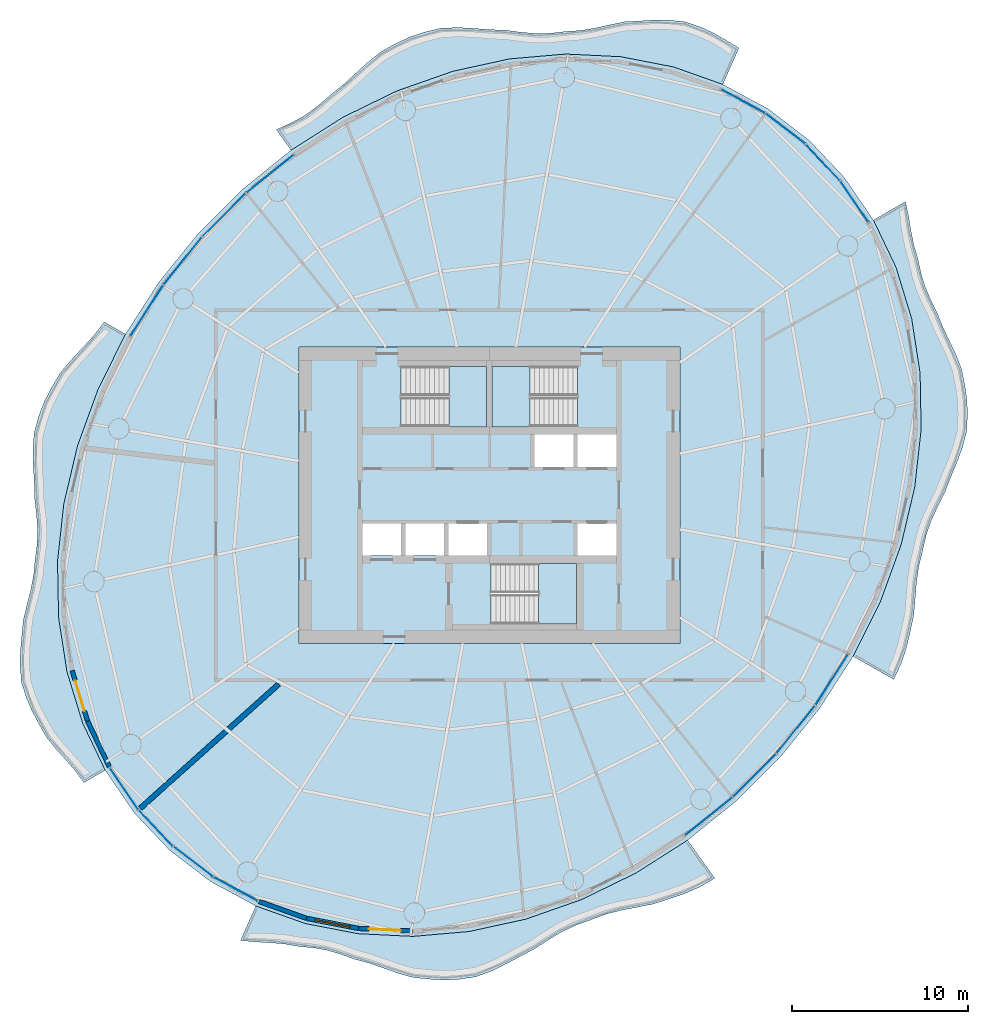
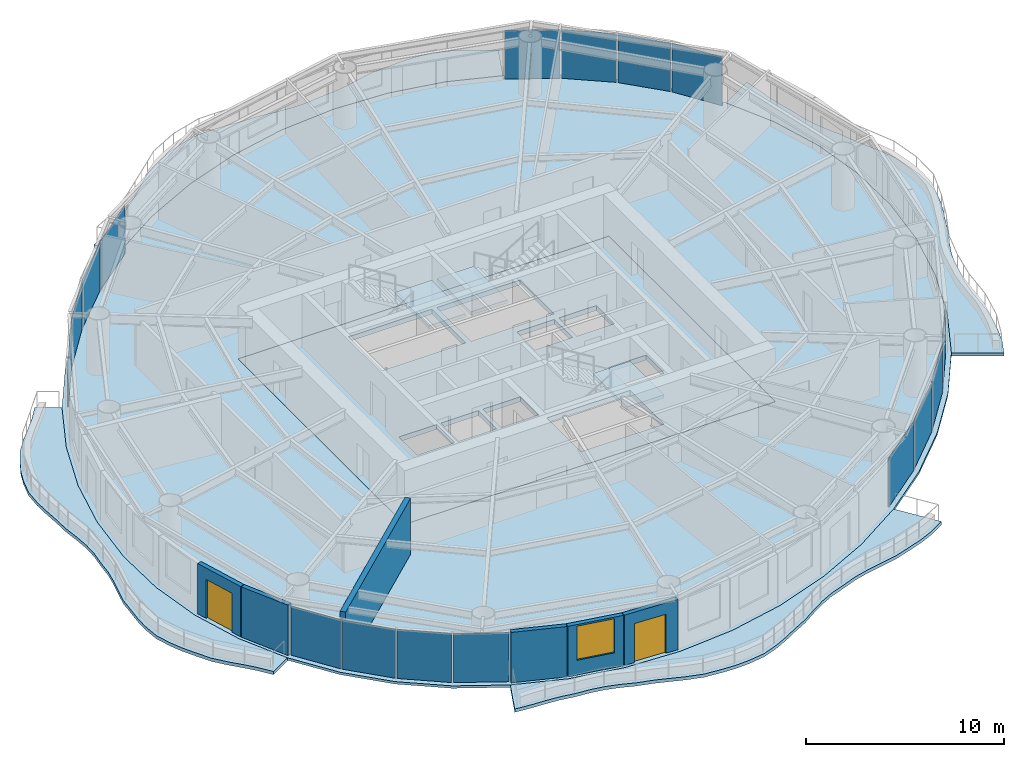
# One storey, part 7 of 14: 16 plates, 9 slabs, 6 walls, 2 doors, 1 window, 3 openings, 19 elements without a shape of their own.
"""IFC4 building model written with IfcOpenShell, lengths in metres."""

from ifc_helpers import new_model, si_unit, direction, frame, frame_2d, origin, origin_2d, place, context, subcontext, project, spatial, polyline, rectangle, outline, extrude, material, layer, layer_set, type_object, element, fill, aggregate, save


model = new_model("IFC4")

# Units and contexts
model_context = context("Model", 3, precision=1e-05, world=origin(), true_north=direction((0.0, 1.0)))
body_context = subcontext(model_context, "Body", "Model", "MODEL_VIEW")
ifc_project = project(units=[si_unit("LENGTHUNIT", "METRE"), si_unit("AREAUNIT", "SQUARE_METRE"), si_unit("VOLUMEUNIT", "CUBIC_METRE"), si_unit("PLANEANGLEUNIT", "RADIAN"), si_unit("MASSUNIT", "GRAM", prefix="KILO")], contexts=[model_context])

# Site, building, storey
site_placement = place(None, origin())
site = spatial("IfcSite", under=ifc_project, at=site_placement, CompositionType="ELEMENT")
building_placement = place(site_placement, origin())
building = spatial("IfcBuilding", under=site, at=building_placement, Name="Vermilion Reach Broadcast Tower", CompositionType="ELEMENT")
storey_placement = place(building_placement, frame((0.0, 0.0, 224.5)))
storey = spatial("IfcBuildingStorey", under=building, at=storey_placement, Name="L55", CompositionType="ELEMENT", Elevation=224.5)

# Slabs
ifc_material_1 = material(Name="Concrete C40/50", Category="concrete")
ifc_layer_1 = layer(ifc_material_1, 0.199951171875)
ifc_layer_set_1 = layer_set([ifc_layer_1], Name="Balcony slab 200")
slab_type_1 = type_object("IfcSlabType", Name="Balcony slab 200", PredefinedType="FLOOR", material=ifc_layer_set_1)
placement_1 = place(storey_placement, frame((0.0, 0.0, -0.199951171875)))
element("IfcSlab", 1, at=placement_1, inside=storey, type_object=slab_type_1, Name="Balcony slab L55 group 1", PredefinedType="FLOOR", context=body_context, shape_type="SweptSolid", body=[
    extrude(outline(polyline([(7.239501953125, 23.29052734375), (4.433837890625, 24.283935546875), (1.449951171875, 24.86181640625), (-1.66162109375, 25.014404296875), (-4.847412109375, 24.73876953125), (-8.052978515625, 24.0400390625), (-11.223388671875, 22.929931640625), (-14.304443359375, 21.427490234375), (-17.243408203125, 19.558349609375), (-18.081298828125, 20.72900390625), (-17.204833984375, 21.120361328125), (-16.444580078125, 21.5478515625), (-15.73828125, 22.0595703125), (-15.012451171875, 22.69287109375), (-14.261962890625, 23.295654296875), (-13.6025390625, 23.8984375), (-12.9453125, 24.505859375), (-12.1484375, 25.147216796875), (-11.27734375, 25.624755859375), (-10.51171875, 25.9794921875), (-9.715576171875, 26.2470703125), (-8.743408203125, 26.48046875), (-7.75390625, 26.518798828125), (-6.904541015625, 26.4736328125), (-6.05029296875, 26.40576171875), (-5.094482421875, 26.368408203125), (-4.17578125, 26.250244140625), (-3.36767578125, 26.18310546875), (-2.56591796875, 26.192626953125), (-1.685546875, 26.29345703125), (-0.81640625, 26.35302734375), (-0.0302734375, 26.48193359375), (0.758056640625, 26.6572265625), (1.689453125, 26.84716796875), (2.617919921875, 26.896728515625), (3.401123046875, 26.944091796875), (4.1748046875, 26.94189453125), (5.12890625, 26.8369140625), (6.017333984375, 26.52685546875), (6.696044921875, 26.214111328125), (7.352783203125, 25.83984375), (8.1572265625, 25.35888671875), (7.239501953125, 23.29052734375)])), origin(), (0.0, 0.0, 1.0), 0.199951171875),
])
element("IfcSlab", 2, at=placement_1, inside=storey, type_object=slab_type_1, Name="Balcony slab L55 group 2", PredefinedType="FLOOR", context=body_context, shape_type="SweptSolid", body=[
    extrude(outline(polyline([(-26.62646484375, 9.137451171875), (-28.17822265625, 6.01904296875), (-29.350341796875, 2.7978515625), (-30.123046875, -0.47119140625), (-30.48291015625, -3.732177734375), (-30.423828125, -6.92919921875), (-29.947021484375, -10.0078125), (-29.060302734375, -12.9150390625), (-27.779052734375, -15.6015625), (-28.988037109375, -16.29736328125), (-29.502197265625, -15.598876953125), (-30.00732421875, -15.015625), (-30.530517578125, -14.440673828125), (-31.12158203125, -13.7158203125), (-31.580810546875, -12.889404296875), (-31.94482421875, -12.2060546875), (-32.246337890625, -11.50341796875), (-32.531005859375, -10.598876953125), (-32.6103515625, -9.63232421875), (-32.59033203125, -8.841064453125), (-32.515380859375, -8.041259765625), (-32.428955078125, -7.102294921875), (-32.204345703125, -6.16259765625), (-31.99951171875, -5.359130859375), (-31.843017578125, -4.556884765625), (-31.75732421875, -3.673828125), (-31.638671875, -2.779296875), (-31.616943359375, -1.95654296875), (-31.674072265625, -1.125), (-31.780517578125, -0.184814453125), (-31.80615234375, 0.78955078125), (-31.8583984375, 1.664794921875), (-31.880859375, 2.533203125), (-31.810546875, 3.533447265625), (-31.5419921875, 4.507568359375), (-31.23486328125, 5.3076171875), (-30.83935546875, 6.07568359375), (-30.324951171875, 6.9404296875), (-29.659423828125, 7.728759765625), (-29.034912109375, 8.390625), (-28.426513671875, 9.060302734375), (-27.831787109375, 9.822021484375), (-26.62646484375, 9.137451171875)])), origin(), (0.0, 0.0, 1.0), 0.199951171875),
])
element("IfcSlab", 3, at=placement_1, inside=storey, type_object=slab_type_1, Name="Balcony slab L55 group 3", PredefinedType="FLOOR", context=body_context, shape_type="SweptSolid", body=[
    extrude(outline(polyline([(-19.239501953125, -23.29052734375), (-16.433837890625, -24.283935546875), (-13.449951171875, -24.86181640625), (-10.33837890625, -25.014404296875), (-7.152587890625, -24.73876953125), (-3.947021484375, -24.0400390625), (-0.776611328125, -22.929931640625), (2.304443359375, -21.427490234375), (5.243408203125, -19.558349609375), (6.7880859375, -21.716064453125), (5.908447265625, -22.2265625), (5.10107421875, -22.579833984375), (4.253662109375, -22.8701171875), (3.286865234375, -23.183349609375), (2.30126953125, -23.3759765625), (1.4296875, -23.543701171875), (0.584228515625, -23.76513671875), (-0.291015625, -24.09375), (-1.151123046875, -24.4013671875), (-1.91162109375, -24.7705078125), (-2.646484375, -25.21337890625), (-3.465087890625, -25.74365234375), (-4.319091796875, -26.183837890625), (-5.0693359375, -26.593017578125), (-5.827880859375, -26.96435546875), (-6.762939453125, -27.30859375), (-7.720703125, -27.44677734375), (-8.519775390625, -27.48681640625), (-9.32568359375, -27.4462890625), (-10.294677734375, -27.352294921875), (-11.2197265625, -27.089599609375), (-11.986083984375, -26.815673828125), (-12.7529296875, -26.549560546875), (-13.625, -26.3125), (-14.447265625, -26.015625), (-15.1806640625, -25.8056640625), (-15.928466796875, -25.669921875), (-16.7890625, -25.588134765625), (-17.6337890625, -25.443359375), (-18.399658203125, -25.376953125), (-19.1748046875, -25.336669921875), (-20.10693359375, -25.245361328125), (-19.239501953125, -23.29052734375)])), origin(), (0.0, 0.0, 1.0), 0.199951171875),
])
element("IfcSlab", 4, at=placement_1, inside=storey, type_object=slab_type_1, Name="Balcony slab L55 group 4", PredefinedType="FLOOR", context=body_context, shape_type="SweptSolid", body=[
    extrude(outline(polyline([(14.62646484375, -9.137451171875), (16.17822265625, -6.01904296875), (17.350341796875, -2.7978515625), (18.123046875, 0.47119140625), (18.48291015625, 3.732177734375), (18.423828125, 6.92919921875), (17.947021484375, 10.0078125), (17.060302734375, 12.9150390625), (15.779052734375, 15.6015625), (17.6005859375, 16.650146484375), (17.786865234375, 15.734619140625), (17.91064453125, 14.969482421875), (18.062744140625, 14.217529296875), (18.302978515625, 13.39794921875), (18.485107421875, 12.55517578125), (18.710205078125, 11.82958984375), (19.007080078125, 11.12548828125), (19.3984375, 10.33984375), (19.732421875, 9.496337890625), (20.080322265625, 8.761962890625), (20.431640625, 8.0283203125), (20.78466796875, 7.133056640625), (20.97021484375, 6.1767578125), (21.082763671875, 5.379150390625), (21.113525390625, 4.580322265625), (21.0634765625, 3.614013671875), (20.80810546875, 2.650390625), (20.510498046875, 1.85791015625), (20.1787109375, 1.0693359375), (19.831787109375, 0.176025390625), (19.396728515625, -0.69287109375), (19.04296875, -1.47216796875), (18.76806640625, -2.27001953125), (18.565185546875, -3.1611328125), (18.342041015625, -4.07080078125), (18.219970703125, -4.938232421875), (18.14990234375, -5.82470703125), (18.061767578125, -6.827392578125), (17.846435546875, -7.82177734375), (17.63818359375, -8.69091796875), (17.3603515625, -9.525146484375), (16.931884765625, -10.44677734375), (14.62646484375, -9.137451171875)])), origin(), (0.0, 0.0, 1.0), 0.199951171875),
])
ifc_material_2 = material(Name="Concrete C40", Category="concrete")
ifc_layer_2 = layer(ifc_material_2, 0.300048828125)
ifc_layer_set_2 = layer_set([ifc_layer_2], Name="Core floor slab 300 mm Concrete C40")
slab_type_2 = type_object("IfcSlabType", Name="Core floor slab 300 mm Concrete C40", PredefinedType="FLOOR", material=ifc_layer_set_2)
slab_5_placement = place(storey_placement, frame((0.0, 0.0, -0.300048828125)))
element("IfcSlab", 5, at=slab_5_placement, inside=storey, type_object=slab_type_2, Name="L55 core floor", PredefinedType="FLOOR", context=body_context, shape_type="SweptSolid", body=[
    extrude(outline(polyline([(-16.800048828125, -8.39990234375), (4.800048828125, -8.39990234375), (4.800048828125, 8.39990234375), (-16.800048828125, 8.39990234375), (-16.800048828125, -8.39990234375)]), holes=[polyline([(-3.433349609375, 1.60009765625), (-1.24169921875, 1.60009765625), (-1.24169921875, 3.429931640625), (-3.433349609375, 3.429931640625), (-3.433349609375, 1.60009765625)]), polyline([(-0.99169921875, 1.60009765625), (1.199951171875, 1.60009765625), (1.199951171875, 3.429931640625), (-0.99169921875, 3.429931640625), (-0.99169921875, 1.60009765625)]), polyline([(-13.199951171875, -3.429931640625), (-11.00830078125, -3.429931640625), (-11.00830078125, -1.60009765625), (-13.199951171875, -1.60009765625), (-13.199951171875, -3.429931640625)]), polyline([(-10.75830078125, -3.429931640625), (-8.566650390625, -3.429931640625), (-8.566650390625, -1.60009765625), (-10.75830078125, -1.60009765625), (-10.75830078125, -3.429931640625)]), polyline([(-8.316650390625, -3.429931640625), (-6.125, -3.429931640625), (-6.125, -1.60009765625), (-8.316650390625, -1.60009765625), (-8.316650390625, -3.429931640625)]), polyline([(-0.99169921875, -3.429931640625), (1.199951171875, -3.429931640625), (1.199951171875, -1.60009765625), (-0.99169921875, -1.60009765625), (-0.99169921875, -3.429931640625)]), polyline([(-10.999267578125, 3.8798828125), (-6.14990234375, 3.8798828125), (-6.14990234375, 7.300048828125), (-10.999267578125, 7.300048828125), (-10.999267578125, 3.8798828125)]), polyline([(-1.000732421875, 7.300048828125), (-5.85009765625, 7.300048828125), (-5.85009765625, 3.8798828125), (-1.000732421875, 3.8798828125), (-1.000732421875, 7.300048828125)]), polyline([(-5.8994140625, -7.300048828125), (-1.050048828125, -7.300048828125), (-1.050048828125, -3.8798828125), (-5.8994140625, -3.8798828125), (-5.8994140625, -7.300048828125)])]), origin(), (0.0, 0.0, 1.0), 0.300048828125),
])

# Stair, slab
ifc_material_3 = material(Name="Concrete C40", Category="concrete")
stair_type = type_object("IfcStairType", Name="Exit stair RC 22 risers 164 mm", PredefinedType="HALF_TURN_STAIR", material=ifc_material_3)
placement_2 = place(storey_placement, origin())
stair_1 = element("IfcStair", 6, at=placement_2, inside=storey, type_object=stair_type, Name="L55 Exit stair ST1", PredefinedType="HALF_TURN_STAIR")
ifc_material_4 = material(Name="Concrete C40", Category="concrete")
ifc_layer_3 = layer(ifc_material_4, 0.199951171875)
ifc_layer_set_3 = layer_set([ifc_layer_3], Name="Exit stair landing Concrete C40")
slab_type_3 = type_object("IfcSlabType", Name="Exit stair landing Concrete C40", PredefinedType="LANDING", material=ifc_layer_set_3)
placement_3 = place(storey_placement, frame((0.0, 0.0, 1.60009765625)))
slab_6 = element("IfcSlab", 7, at=placement_3, type_object=slab_type_3, Name="ST1 landing 1", PredefinedType="LANDING", context=body_context, shape_type="SweptSolid", body=[
    extrude(outline(polyline([(-8.300048828125, 3.8798828125), (-6.14990234375, 3.8798828125), (-6.14990234375, 7.300048828125), (-8.300048828125, 7.300048828125), (-8.300048828125, 3.8798828125)])), origin(), (0.0, 0.0, 1.0), 0.199951171875),
])
aggregate(stair_1, [slab_6])

stair_2 = element("IfcStair", 8, at=placement_2, inside=storey, type_object=stair_type, Name="L55 Exit stair ST2", PredefinedType="HALF_TURN_STAIR")
slab_7 = element("IfcSlab", 9, at=placement_3, type_object=slab_type_3, Name="ST2 landing 1", PredefinedType="LANDING", context=body_context, shape_type="SweptSolid", body=[
    extrude(outline(polyline([(-3.699951171875, 7.300048828125), (-5.85009765625, 7.300048828125), (-5.85009765625, 3.8798828125), (-3.699951171875, 3.8798828125), (-3.699951171875, 7.300048828125)])), origin(), (0.0, 0.0, 1.0), 0.199951171875),
])
aggregate(stair_2, [slab_7])

stair_3 = element("IfcStair", 10, at=placement_2, inside=storey, type_object=stair_type, Name="L55 Exit stair ST3", PredefinedType="HALF_TURN_STAIR")
slab_8 = element("IfcSlab", 11, at=placement_3, type_object=slab_type_3, Name="ST3 landing 1", PredefinedType="LANDING", context=body_context, shape_type="SweptSolid", body=[
    extrude(outline(polyline([(-3.199951171875, -7.300048828125), (-1.050048828125, -7.300048828125), (-1.050048828125, -3.8798828125), (-3.199951171875, -3.8798828125), (-3.199951171875, -7.300048828125)])), origin(), (0.0, 0.0, 1.0), 0.199951171875),
])
aggregate(stair_3, [slab_8])

# Slab
ifc_material_5 = material(Name="Concrete C40", Category="concrete")
ifc_layer_4 = layer(ifc_material_5, 0.14990234375)
ifc_layer_set_4 = layer_set([ifc_layer_4], Name="Floor slab Concrete C40 composite 150")
slab_type_4 = type_object("IfcSlabType", Name="Floor slab Concrete C40 composite 150", PredefinedType="FLOOR", material=ifc_layer_set_4)
slab_9_placement = place(storey_placement, frame((0.0, 0.0, -0.14990234375)))
element("IfcSlab", 12, at=slab_9_placement, inside=storey, type_object=slab_type_4, Name="Floor slab L55", PredefinedType="FLOOR", context=body_context, shape_type="SweptSolid", body=[
    extrude(outline(polyline([(12.126953125, 20.132080078125), (9.818603515625, 21.898681640625), (7.239501953125, 23.29052734375), (4.433837890625, 24.283935546875), (1.449951171875, 24.86181640625), (-1.66162109375, 25.014404296875), (-4.847412109375, 24.73876953125), (-8.052978515625, 24.0400390625), (-11.223388671875, 22.929931640625), (-14.304443359375, 21.427490234375), (-17.243408203125, 19.558349609375), (-19.989990234375, 17.354736328125), (-22.4970703125, 14.85400390625), (-24.721923828125, 12.09912109375), (-26.62646484375, 9.137451171875), (-28.17822265625, 6.01904296875), (-29.350341796875, 2.7978515625), (-30.123046875, -0.47119140625), (-30.48291015625, -3.732177734375), (-30.423828125, -6.92919921875), (-29.947021484375, -10.0078125), (-29.060302734375, -12.9150390625), (-27.779052734375, -15.6015625), (-26.125244140625, -18.02099609375), (-24.126953125, -20.132080078125), (-21.818603515625, -21.898681640625), (-19.239501953125, -23.29052734375), (-16.433837890625, -24.283935546875), (-13.449951171875, -24.86181640625), (-10.33837890625, -25.014404296875), (-7.152587890625, -24.73876953125), (-3.947021484375, -24.0400390625), (-0.776611328125, -22.929931640625), (2.304443359375, -21.427490234375), (5.243408203125, -19.558349609375), (7.989990234375, -17.354736328125), (10.4970703125, -14.85400390625), (12.721923828125, -12.09912109375), (14.62646484375, -9.137451171875), (16.17822265625, -6.01904296875), (17.350341796875, -2.7978515625), (18.123046875, 0.47119140625), (18.48291015625, 3.732177734375), (18.423828125, 6.92919921875), (17.947021484375, 10.0078125), (17.060302734375, 12.9150390625), (15.779052734375, 15.6015625), (14.125244140625, 18.02099609375), (12.126953125, 20.132080078125)]), holes=[polyline([(-16.800048828125, -8.39990234375), (4.800048828125, -8.39990234375), (4.800048828125, 8.39990234375), (-16.800048828125, 8.39990234375), (-16.800048828125, -8.39990234375)])]), origin(), (0.0, 0.0, 1.0), 0.14990234375),
])

# Curtain wall, plate
ifc_material_6 = material(Name="Low-e laminated clear glass in aluminium frame", Category="aluminium")
curtain_wall_type = type_object("IfcCurtainWallType", Name="Slot curtain wall", PredefinedType="NOTDEFINED", material=ifc_material_6)
curtain_wall_1 = element("IfcCurtainWall", 13, at=placement_2, inside=storey, type_object=curtain_wall_type, Name="Slot curtain wall L55 46", PredefinedType="NOTDEFINED")
ifc_material_7 = material(Name="Low-e laminated clear glass", Category="glass")
ifc_layer_5 = layer(ifc_material_7, 0.028076171875)
ifc_layer_set_5 = layer_set([ifc_layer_5], Name="Slot glass panel")
plate_type = type_object("IfcPlateType", Name="Slot glass panel", PredefinedType="CURTAIN_PANEL", material=ifc_layer_set_5)
plate_1_placement = place(storey_placement, frame((14.705322265625, 16.642333984375, 0.0), z_axis=(0.0, 0.0, 1.0), x_axis=(-0.56432528519, 0.825552525582, 0.0)))
plate_1 = element("IfcPlate", 14, at=plate_1_placement, type_object=plate_type, Name="Slot glass panel L55 46", PredefinedType="CURTAIN_PANEL", context=body_context, shape_type="SweptSolid", body=[
    extrude(rectangle(XDim=2.8037109375, YDim=0.028076171875, at=origin_2d()), origin(), (0.0, 0.0, 1.0), 3.0),
])
aggregate(curtain_wall_1, [plate_1])

curtain_wall_2 = element("IfcCurtainWall", 15, at=placement_2, inside=storey, type_object=curtain_wall_type, Name="Slot curtain wall L55 47", PredefinedType="NOTDEFINED")
plate_2_placement = place(storey_placement, frame((12.908935546875, 18.870849609375, 0.0), z_axis=(0.0, 0.0, 1.0), x_axis=(-0.687426702281, 0.726253763495, 0.0)))
plate_2 = element("IfcPlate", 16, at=plate_2_placement, type_object=plate_type, Name="Slot glass panel L55 47", PredefinedType="CURTAIN_PANEL", context=body_context, shape_type="SweptSolid", body=[
    extrude(rectangle(XDim=2.779052734375, YDim=0.028076171875, at=origin_2d()), origin(), (0.0, 0.0, 1.0), 3.0),
])
aggregate(curtain_wall_2, [plate_2])

curtain_wall_3 = element("IfcCurtainWall", 17, at=placement_2, inside=storey, type_object=curtain_wall_type, Name="Slot curtain wall L55 00", PredefinedType="NOTDEFINED")
plate_3_placement = place(storey_placement, frame((10.791015625, 20.77783203125, 0.0), z_axis=(0.0, 0.0, 1.0), x_axis=(-0.794130738059, 0.607746962863, 0.0)))
plate_3 = element("IfcPlate", 18, at=plate_3_placement, type_object=plate_type, Name="Slot glass panel L55 00", PredefinedType="CURTAIN_PANEL", context=body_context, shape_type="SweptSolid", body=[
    extrude(rectangle(XDim=2.779052734375, YDim=0.028076171875, at=origin_2d()), origin(), (0.0, 0.0, 1.0), 3.0),
])
aggregate(curtain_wall_3, [plate_3])

curtain_wall_4 = element("IfcCurtainWall", 19, at=placement_2, inside=storey, type_object=curtain_wall_type, Name="Slot curtain wall L55 01", PredefinedType="NOTDEFINED")
plate_4_placement = place(storey_placement, frame((8.386962890625, 22.33154296875, 0.0), z_axis=(0.0, 0.0, 1.0), x_axis=(-0.880018238675, 0.474939890511, 0.0)))
plate_4 = element("IfcPlate", 20, at=plate_4_placement, type_object=plate_type, Name="Slot glass panel L55 01", PredefinedType="CURTAIN_PANEL", context=body_context, shape_type="SweptSolid", body=[
    extrude(rectangle(XDim=2.8037109375, YDim=0.028076171875, at=origin_2d()), origin(), (0.0, 0.0, 1.0), 3.0),
])
aggregate(curtain_wall_4, [plate_4])

curtain_wall_5 = element("IfcCurtainWall", 21, at=placement_2, inside=storey, type_object=curtain_wall_type, Name="Slot curtain wall L55 10", PredefinedType="NOTDEFINED")
plate_5_placement = place(storey_placement, frame((-18.42919921875, 18.222900390625, 0.0), z_axis=(0.0, 0.0, 1.0), x_axis=(-0.779966847753, -0.62582083411, 0.0)))
plate_5 = element("IfcPlate", 22, at=plate_5_placement, type_object=plate_type, Name="Slot glass panel L55 10", PredefinedType="CURTAIN_PANEL", context=body_context, shape_type="SweptSolid", body=[
    extrude(rectangle(XDim=3.40869140625, YDim=0.028076171875, at=origin_2d()), origin(), (0.0, 0.0, 1.0), 3.0),
])
aggregate(curtain_wall_5, [plate_5])

curtain_wall_6 = element("IfcCurtainWall", 23, at=placement_2, inside=storey, type_object=curtain_wall_type, Name="Slot curtain wall L55 11", PredefinedType="NOTDEFINED")
plate_6_placement = place(storey_placement, frame((-21.031982421875, 15.892333984375, 0.0), z_axis=(0.0, 0.0, 1.0), x_axis=(-0.708023435049, -0.706188937481, 0.0)))
plate_6 = element("IfcPlate", 24, at=plate_6_placement, type_object=plate_type, Name="Slot glass panel L55 11", PredefinedType="CURTAIN_PANEL", context=body_context, shape_type="SweptSolid", body=[
    extrude(rectangle(XDim=3.428955078125, YDim=0.028076171875, at=origin_2d()), origin(), (0.0, 0.0, 1.0), 3.0),
])
aggregate(curtain_wall_6, [plate_6])

curtain_wall_7 = element("IfcCurtainWall", 25, at=placement_2, inside=storey, type_object=curtain_wall_type, Name="Slot curtain wall L55 12", PredefinedType="NOTDEFINED")
plate_7_placement = place(storey_placement, frame((-23.37646484375, 13.288330078125, 0.0), z_axis=(0.0, 0.0, 1.0), x_axis=(-0.628311759512, -0.777961652563, 0.0)))
plate_7 = element("IfcPlate", 26, at=plate_7_placement, type_object=plate_type, Name="Slot glass panel L55 12", PredefinedType="CURTAIN_PANEL", context=body_context, shape_type="SweptSolid", body=[
    extrude(rectangle(XDim=3.428955078125, YDim=0.028076171875, at=origin_2d()), origin(), (0.0, 0.0, 1.0), 3.0),
])
aggregate(curtain_wall_7, [plate_7])

curtain_wall_8 = element("IfcCurtainWall", 27, at=placement_2, inside=storey, type_object=curtain_wall_type, Name="Slot curtain wall L55 13", PredefinedType="NOTDEFINED")
plate_8_placement = place(storey_placement, frame((-25.42236328125, 10.456298828125, 0.0), z_axis=(0.0, 0.0, 1.0), x_axis=(-0.540863848554, -0.841110157665, 0.0)))
plate_8 = element("IfcPlate", 28, at=plate_8_placement, type_object=plate_type, Name="Slot glass panel L55 13", PredefinedType="CURTAIN_PANEL", context=body_context, shape_type="SweptSolid", body=[
    extrude(rectangle(XDim=3.40869140625, YDim=0.028076171875, at=origin_2d()), origin(), (0.0, 0.0, 1.0), 3.0),
])
aggregate(curtain_wall_8, [plate_8])

curtain_wall_9 = element("IfcCurtainWall", 29, at=placement_2, inside=storey, type_object=curtain_wall_type, Name="Slot curtain wall L55 22", PredefinedType="NOTDEFINED")
plate_9_placement = place(storey_placement, frame((-26.705322265625, -16.642333984375, 0.0), z_axis=(0.0, 0.0, 1.0), x_axis=(0.56432528519, -0.825552525582, 0.0)))
plate_9 = element("IfcPlate", 30, at=plate_9_placement, type_object=plate_type, Name="Slot glass panel L55 22", PredefinedType="CURTAIN_PANEL", context=body_context, shape_type="SweptSolid", body=[
    extrude(rectangle(XDim=2.8037109375, YDim=0.028076171875, at=origin_2d()), origin(), (0.0, 0.0, 1.0), 3.0),
])
aggregate(curtain_wall_9, [plate_9])

curtain_wall_10 = element("IfcCurtainWall", 31, at=placement_2, inside=storey, type_object=curtain_wall_type, Name="Slot curtain wall L55 23", PredefinedType="NOTDEFINED")
plate_10_placement = place(storey_placement, frame((-24.908935546875, -18.870849609375, 0.0), z_axis=(0.0, 0.0, 1.0), x_axis=(0.687426702281, -0.726253763495, 0.0)))
plate_10 = element("IfcPlate", 32, at=plate_10_placement, type_object=plate_type, Name="Slot glass panel L55 23", PredefinedType="CURTAIN_PANEL", context=body_context, shape_type="SweptSolid", body=[
    extrude(rectangle(XDim=2.779052734375, YDim=0.028076171875, at=origin_2d()), origin(), (0.0, 0.0, 1.0), 3.0),
])
aggregate(curtain_wall_10, [plate_10])

curtain_wall_11 = element("IfcCurtainWall", 33, at=placement_2, inside=storey, type_object=curtain_wall_type, Name="Slot curtain wall L55 24", PredefinedType="NOTDEFINED")
plate_11_placement = place(storey_placement, frame((-22.791015625, -20.77783203125, 0.0), z_axis=(0.0, 0.0, 1.0), x_axis=(0.794130738059, -0.607746962863, 0.0)))
plate_11 = element("IfcPlate", 34, at=plate_11_placement, type_object=plate_type, Name="Slot glass panel L55 24", PredefinedType="CURTAIN_PANEL", context=body_context, shape_type="SweptSolid", body=[
    extrude(rectangle(XDim=2.779052734375, YDim=0.028076171875, at=origin_2d()), origin(), (0.0, 0.0, 1.0), 3.0),
])
aggregate(curtain_wall_11, [plate_11])

curtain_wall_12 = element("IfcCurtainWall", 35, at=placement_2, inside=storey, type_object=curtain_wall_type, Name="Slot curtain wall L55 25", PredefinedType="NOTDEFINED")
plate_12_placement = place(storey_placement, frame((-20.386962890625, -22.33154296875, 0.0), z_axis=(0.0, 0.0, 1.0), x_axis=(0.880018238675, -0.474939890511, 0.0)))
plate_12 = element("IfcPlate", 36, at=plate_12_placement, type_object=plate_type, Name="Slot glass panel L55 25", PredefinedType="CURTAIN_PANEL", context=body_context, shape_type="SweptSolid", body=[
    extrude(rectangle(XDim=2.8037109375, YDim=0.028076171875, at=origin_2d()), origin(), (0.0, 0.0, 1.0), 3.0),
])
aggregate(curtain_wall_12, [plate_12])

curtain_wall_13 = element("IfcCurtainWall", 37, at=placement_2, inside=storey, type_object=curtain_wall_type, Name="Slot curtain wall L55 34", PredefinedType="NOTDEFINED")
plate_13_placement = place(storey_placement, frame((6.42919921875, -18.222900390625, 0.0), z_axis=(0.0, 0.0, 1.0), x_axis=(0.779966847753, 0.62582083411, 0.0)))
plate_13 = element("IfcPlate", 38, at=plate_13_placement, type_object=plate_type, Name="Slot glass panel L55 34", PredefinedType="CURTAIN_PANEL", context=body_context, shape_type="SweptSolid", body=[
    extrude(rectangle(XDim=3.40869140625, YDim=0.028076171875, at=origin_2d()), origin(), (0.0, 0.0, 1.0), 3.0),
])
aggregate(curtain_wall_13, [plate_13])

curtain_wall_14 = element("IfcCurtainWall", 39, at=placement_2, inside=storey, type_object=curtain_wall_type, Name="Slot curtain wall L55 35", PredefinedType="NOTDEFINED")
plate_14_placement = place(storey_placement, frame((9.031982421875, -15.892333984375, 0.0), z_axis=(0.0, 0.0, 1.0), x_axis=(0.708023435049, 0.706188937481, 0.0)))
plate_14 = element("IfcPlate", 40, at=plate_14_placement, type_object=plate_type, Name="Slot glass panel L55 35", PredefinedType="CURTAIN_PANEL", context=body_context, shape_type="SweptSolid", body=[
    extrude(rectangle(XDim=3.428955078125, YDim=0.028076171875, at=origin_2d()), origin(), (0.0, 0.0, 1.0), 3.0),
])
aggregate(curtain_wall_14, [plate_14])

curtain_wall_15 = element("IfcCurtainWall", 41, at=placement_2, inside=storey, type_object=curtain_wall_type, Name="Slot curtain wall L55 36", PredefinedType="NOTDEFINED")
plate_15_placement = place(storey_placement, frame((11.37646484375, -13.288330078125, 0.0), z_axis=(0.0, 0.0, 1.0), x_axis=(0.628311759512, 0.777961652563, 0.0)))
plate_15 = element("IfcPlate", 42, at=plate_15_placement, type_object=plate_type, Name="Slot glass panel L55 36", PredefinedType="CURTAIN_PANEL", context=body_context, shape_type="SweptSolid", body=[
    extrude(rectangle(XDim=3.428955078125, YDim=0.028076171875, at=origin_2d()), origin(), (0.0, 0.0, 1.0), 3.0),
])
aggregate(curtain_wall_15, [plate_15])

curtain_wall_16 = element("IfcCurtainWall", 43, at=placement_2, inside=storey, type_object=curtain_wall_type, Name="Slot curtain wall L55 37", PredefinedType="NOTDEFINED")
plate_16_placement = place(storey_placement, frame((13.42236328125, -10.456298828125, 0.0), z_axis=(0.0, 0.0, 1.0), x_axis=(0.540863848554, 0.841110157665, 0.0)))
plate_16 = element("IfcPlate", 44, at=plate_16_placement, type_object=plate_type, Name="Slot glass panel L55 37", PredefinedType="CURTAIN_PANEL", context=body_context, shape_type="SweptSolid", body=[
    extrude(rectangle(XDim=3.40869140625, YDim=0.028076171875, at=origin_2d()), origin(), (0.0, 0.0, 1.0), 3.0),
])
aggregate(curtain_wall_16, [plate_16])

# Wall
ifc_material_8 = material(Name="Double-leaf plasterboard on isolated steel stud", Category="steel")
ifc_layer_6 = layer(ifc_material_8, 0.300048828125)
ifc_layer_set_6 = layer_set([ifc_layer_6], Name="Partition 300 acoustic double leaf")
wall_type_1 = type_object("IfcWallType", Name="Partition 300 acoustic double leaf", PredefinedType="PARTITIONING", material=ifc_layer_set_6)
wall_1_placement = place(storey_placement, frame((-25.794189453125, -17.754150390625, 0.0), z_axis=(0.0, 0.0, 1.0), x_axis=(0.744431366547, 0.667698989441, 0.0)))
element("IfcWall", 45, at=wall_1_placement, inside=storey, type_object=wall_type_1, Name="Partition 55.06", PredefinedType="PARTITIONING", context=body_context, shape_type="SweptSolid", body=[
    extrude(rectangle(XDim=10.54736328125, YDim=0.300048828125, at=frame_2d((5.273681640625, 0.0))), origin(), (0.0, 0.0, 1.0), 3.449951171875),
])

# Wall, opening, door
ifc_material_9 = material(Name="Terracotta rainscreen cladding", Category="masonry")
ifc_layer_7 = layer(ifc_material_9, 0.25)
ifc_layer_set_7 = layer_set([ifc_layer_7], Name="Terracotta rainscreen wall 250")
wall_type_2 = type_object("IfcWallType", Name="Terracotta rainscreen wall 250", PredefinedType="SOLIDWALL", material=ifc_layer_set_7)
wall_2_placement = place(storey_placement, frame((-29.650634765625, -9.95361328125, 0.0), z_axis=(0.0, 0.0, 1.0), x_axis=(0.291704653899, -0.956508439531, 0.0)))
wall_2 = element("IfcWall", 46, at=wall_2_placement, inside=storey, type_object=wall_type_2, Name="External wall L55 20", PredefinedType="SOLIDWALL", context=body_context, shape_type="SweptSolid", body=[
    extrude(rectangle(XDim=2.969482421875, YDim=0.25, at=frame_2d((1.48486328125, 0.0))), origin(), (0.0, 0.0, 1.0), 3.10009765625),
])
opening_1_placement = place(wall_2_placement, frame((0.5849609375, 0.0, 0.0)))
opening_1 = element("IfcOpeningElement", 47, at=opening_1_placement, cuts=wall_2, Name="Opening D70", PredefinedType="OPENING", context=body_context, shape_type="SweptSolid", body=[
    extrude(rectangle(XDim=1.800048828125, YDim=2.39990234375, at=frame_2d((0.89990234375, 1.199951171875))), frame((0.0, 0.135009765625, 0.0), z_axis=(0.0, -1.0, 0.0), x_axis=(1.0, 0.0, 0.0)), (0.0, 0.0, 1.0), 0.27001953125),
])
ifc_material_10 = material(Name="Low-e laminated clear glass in aluminium frame", Category="aluminium")
door_type = type_object("IfcDoorType", Name="Balcony sliding door 1800 x 2400", OperationType="DOUBLE_DOOR_SLIDING", PredefinedType="DOOR", material=ifc_material_10)
door_1_placement = place(opening_1_placement, origin())
door_1 = element("IfcDoor", 48, at=door_1_placement, inside=storey, type_object=door_type, Name="Balcony door L55 run 05", OperationType="DOUBLE_DOOR_SLIDING", OverallHeight=2.39990234375, OverallWidth=1.800048828125, PredefinedType="DOOR", context=body_context, shape_type="SweptSolid", body=[
    extrude(rectangle(XDim=1.800048828125, YDim=2.39990234375, at=frame_2d((0.89990234375, 1.199951171875))), frame((0.0, 0.02490234375, 0.0), z_axis=(0.0, -1.0, 0.0), x_axis=(1.0, 0.0, 0.0)), (0.0, 0.0, 1.0), 0.050048828125),
])
fill(opening_1, door_1)

# Walls
for number, where, z_axis, x_axis, name in (
    (49, (-28.77490234375, -12.81884765625, 0.0), (0.0, 0.0, 1.0), (0.430486422768, -0.902597052849, 0.0), "External wall L55 21"),
    (50, (-19.066162109375, -23.03466796875, 0.0), (0.0, 0.0, 1.0), (0.942660771922, -0.333752406852, 0.0), "External wall L55 26"),
):
    element("IfcWall", number, at=place(storey_placement, frame(where, z_axis=z_axis, x_axis=x_axis)), inside=storey, type_object=wall_type_2, Name=name, PredefinedType="SOLIDWALL", context=body_context, shape_type="SweptSolid", body=[
        extrude(rectangle(XDim=2.8623046875, YDim=0.25, at=frame_2d((1.43115234375, 0.0))), origin(), (0.0, 0.0, 1.0), 3.10009765625),
    ])

# Wall, opening, window
wall_3_placement = place(storey_placement, frame((-16.34228515625, -23.996826171875, 0.0), z_axis=(0.0, 0.0, 1.0), x_axis=(0.981754609907, -0.190152270366, 0.0)))
wall_3 = element("IfcWall", 51, at=wall_3_placement, inside=storey, type_object=wall_type_2, Name="External wall L55 27", PredefinedType="SOLIDWALL", context=body_context, shape_type="SweptSolid", body=[
    extrude(rectangle(XDim=2.9697265625, YDim=0.25, at=frame_2d((1.48486328125, 0.0))), origin(), (0.0, 0.0, 1.0), 3.10009765625),
])
opening_2_placement = place(wall_3_placement, frame((0.48486328125, 0.0, 0.89990234375)))
opening_2 = element("IfcOpeningElement", 52, at=opening_2_placement, cuts=wall_3, Name="Opening W03", PredefinedType="OPENING", context=body_context, shape_type="SweptSolid", body=[
    extrude(rectangle(XDim=2.0, YDim=2.10009765625, at=frame_2d((1.0, 1.050048828125))), frame((0.0, 0.135009765625, 0.0), z_axis=(0.0, -1.0, 0.0), x_axis=(1.0, 0.0, 0.0)), (0.0, 0.0, 1.0), 0.27001953125),
])
ifc_material_11 = material(Name="Low-e laminated clear glass in aluminium frame", Category="aluminium")
window_type = type_object("IfcWindowType", Name="Punched window 2000 x 2100 sill 900", PartitioningType="SINGLE_PANEL", PredefinedType="WINDOW", material=ifc_material_11)
window_placement = place(opening_2_placement, origin())
window = element("IfcWindow", 53, at=window_placement, inside=storey, type_object=window_type, Name="Window L55 27", OverallHeight=2.10009765625, OverallWidth=2.0, PartitioningType="SINGLE_PANEL", PredefinedType="WINDOW", context=body_context, shape_type="SweptSolid", body=[
    extrude(rectangle(XDim=2.0, YDim=2.10009765625, at=frame_2d((1.0, 1.050048828125))), frame((0.0, 0.030029296875, 0.0), z_axis=(0.0, -1.0, 0.0), x_axis=(1.0, 0.0, 0.0)), (0.0, 0.0, 1.0), 0.06005859375),
])
fill(opening_2, window)

# Wall, opening, door
wall_4_placement = place(storey_placement, frame((-13.4013671875, -24.564697265625, 0.0), z_axis=(0.0, 0.0, 1.0), x_axis=(0.99880196675, -0.048934969263, 0.0)))
wall_4 = element("IfcWall", 54, at=wall_4_placement, inside=storey, type_object=wall_type_2, Name="External wall L55 28", PredefinedType="SOLIDWALL", context=body_context, shape_type="SweptSolid", body=[
    extrude(rectangle(XDim=3.04833984375, YDim=0.25, at=frame_2d((1.524169921875, 0.0))), origin(), (0.0, 0.0, 1.0), 3.10009765625),
])
opening_3_placement = place(wall_4_placement, frame((0.573974609375, 0.0, 0.0)))
opening_3 = element("IfcOpeningElement", 55, at=opening_3_placement, cuts=wall_4, Name="Opening D70", PredefinedType="OPENING", context=body_context, shape_type="SweptSolid", body=[
    extrude(rectangle(XDim=1.800048828125, YDim=2.39990234375, at=frame_2d((0.89990234375, 1.199951171875))), frame((0.0, 0.135009765625, 0.0), z_axis=(0.0, -1.0, 0.0), x_axis=(1.0, 0.0, 0.0)), (0.0, 0.0, 1.0), 0.27001953125),
])
door_2_placement = place(opening_3_placement, origin())
door_2 = element("IfcDoor", 56, at=door_2_placement, inside=storey, type_object=door_type, Name="Balcony door L55 run 07", OperationType="DOUBLE_DOOR_SLIDING", OverallHeight=2.39990234375, OverallWidth=1.800048828125, PredefinedType="DOOR", context=body_context, shape_type="SweptSolid", body=[
    extrude(rectangle(XDim=1.800048828125, YDim=2.39990234375, at=frame_2d((0.89990234375, 1.199951171875))), frame((0.0, 0.02490234375, 0.0), z_axis=(0.0, -1.0, 0.0), x_axis=(1.0, 0.0, 0.0)), (0.0, 0.0, 1.0), 0.050048828125),
])
fill(opening_3, door_2)

save(model, "model.ifc")
